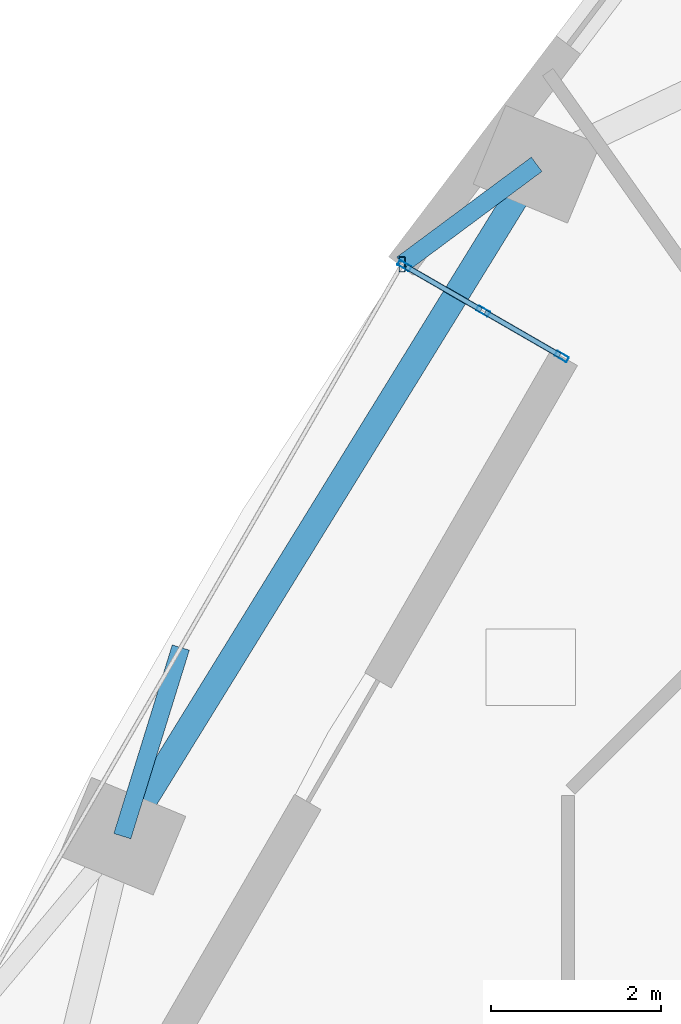
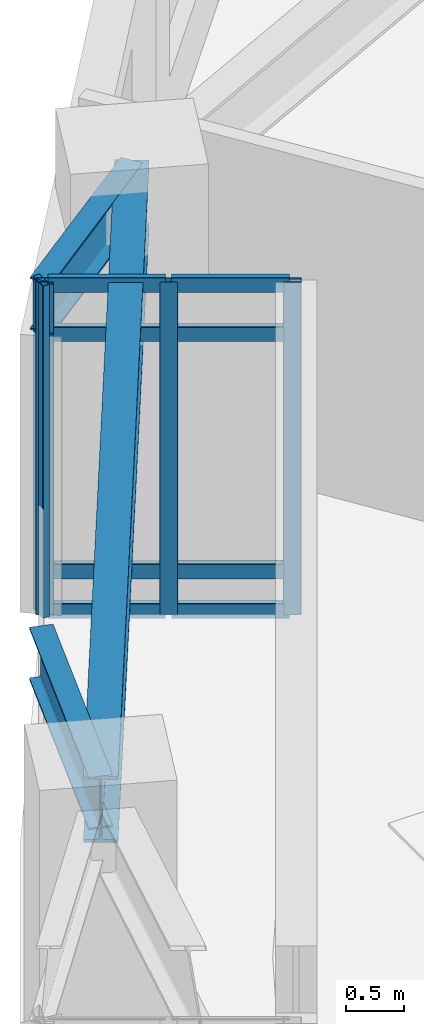
# One storey, part 3 of 13: 12 members, 3 beams, 1 element without a shape of its own.
"""IFC4 building model written with IfcOpenShell, lengths in metres."""

from ifc_helpers import new_model, si_unit, direction, frame, origin, origin_2d, place, context, subcontext, project, spatial, hollow_rectangle, i_section, extrude, material, layer, layer_set, material_profile, profile_set, type_object, element, aggregate, save


model = new_model("IFC4")

# Units and contexts
model_context = context("Model", 3, precision=1e-05, world=origin(), true_north=direction((0.0, 1.0)))
body_context = subcontext(model_context, "Body", "Model", "MODEL_VIEW")
ifc_project = project(units=[si_unit("LENGTHUNIT", "METRE"), si_unit("AREAUNIT", "SQUARE_METRE"), si_unit("VOLUMEUNIT", "CUBIC_METRE"), si_unit("PLANEANGLEUNIT", "RADIAN"), si_unit("MASSUNIT", "GRAM", prefix="KILO")], contexts=[model_context])

# Site, building, storey
site_placement = place(None, origin())
site = spatial("IfcSite", under=ifc_project, at=site_placement, CompositionType="ELEMENT")
building_placement = place(site_placement, origin())
building = spatial("IfcBuilding", under=site, at=building_placement, Name="Ndelora Gate Hotel", CompositionType="ELEMENT")
storey_placement = place(building_placement, frame((0.0, 0.0, 34.25)))
storey = spatial("IfcBuildingStorey", under=building, at=storey_placement, Name="L07", CompositionType="ELEMENT", Elevation=34.25)

# Beams
ifc_material_1 = material(Name="Steel S355", Category="steel")
ifc_material_profile_1 = material_profile(ifc_material_1, i_section(OverallWidth=0.2099609375, OverallDepth=0.550048828125, WebThickness=0.010986328125, FlangeThickness=0.01708984375, FilletRadius=0.02392578125, at=origin_2d()), Name="IPE 550")
ifc_profile_set_1 = profile_set([ifc_material_profile_1], Name="Steel S355")
beam_type_1 = type_object("IfcBeamType", Name="BM-RAD-550", PredefinedType="BEAM", material=ifc_profile_set_1)
beam_1_placement = place(storey_placement, frame((-11.1484375, 14.529052734375, 3.22509765625), z_axis=(-0.802801463818, -0.596246433693, 0.0), x_axis=(0.596246433693, -0.802801463818, 0.0)))
element("IfcBeam", 1, at=beam_1_placement, inside=storey, type_object=beam_type_1, Name="L07 Sky-Garden Loggia Column Bracket 1", PredefinedType="BEAM", context=body_context, shape_type="SweptSolid", body=[
    extrude(i_section(OverallWidth=0.2099609375, OverallDepth=0.550048828125, WebThickness=0.010986328125, FlangeThickness=0.01708984375, FilletRadius=0.02392578125, at=origin_2d()), origin(), (0.0, 0.0, 1.0), 1.97021484375),
])
beam_2_placement = place(storey_placement, frame((-16.016845703125, 6.634521484375, 3.22509765625), z_axis=(0.295985494435, 0.955192434583, 0.0), x_axis=(-0.955192434583, 0.295985494435, 0.0)))
element("IfcBeam", 2, at=beam_2_placement, inside=storey, type_object=beam_type_1, Name="L07 Sky-Garden Loggia Column Bracket 2", PredefinedType="BEAM", context=body_context, shape_type="SweptSolid", body=[
    extrude(i_section(OverallWidth=0.2099609375, OverallDepth=0.550048828125, WebThickness=0.010986328125, FlangeThickness=0.01708984375, FilletRadius=0.02392578125, at=origin_2d()), origin(), (0.0, 0.0, 1.0), 2.3203125),
])
ifc_material_profile_2 = material_profile(ifc_material_1, i_section(OverallWidth=0.300048828125, OverallDepth=0.699951171875, WebThickness=0.01708984375, FlangeThickness=0.031982421875, FilletRadius=0.027099609375, at=origin_2d()), Name="HEB 700")
ifc_profile_set_2 = profile_set([ifc_material_profile_2], Name="Steel S355")
beam_type_2 = type_object("IfcBeamType", Name="BM-RING-700", PredefinedType="SPANDREL", material=ifc_profile_set_2)
beam_3_placement = place(storey_placement, frame((-11.1484375, 14.529052734375, 3.14990234375), z_axis=(-0.524897602516, -0.851165381623, 0.0), x_axis=(0.851165381623, -0.524897602516, 0.0)))
element("IfcBeam", 3, at=beam_3_placement, inside=storey, type_object=beam_type_2, Name="L07 Perimeter Spandrel Girder 2", PredefinedType="SPANDREL", context=body_context, shape_type="SweptSolid", body=[
    extrude(i_section(OverallWidth=0.300048828125, OverallDepth=0.699951171875, WebThickness=0.01708984375, FlangeThickness=0.031982421875, FilletRadius=0.027099609375, at=origin_2d()), origin(), (0.0, 0.0, 1.0), 9.27490234375),
])

# Curtain wall, members
ifc_material_2 = material(Name="Bronze Anodised Unitised Aluminium and Low-E Glass", Category="aluminium")
ifc_layer = layer(ifc_material_2, 0.199951171875)
ifc_layer_set = layer_set([ifc_layer], Name="Bronze Anodised Unitised Aluminium and Low-E Glass")
curtain_wall_type = type_object("IfcCurtainWallType", Name="CW-SYS-3", PredefinedType="NOTDEFINED", material=ifc_layer_set)
curtain_wall_placement = place(storey_placement, origin())
curtain_wall = element("IfcCurtainWall", 4, at=curtain_wall_placement, inside=storey, type_object=curtain_wall_type, Name="L07 Sky-Garden Loggia Side Curtain Wall CW3-1", PredefinedType="NOTDEFINED")
ifc_material_3 = material(Name="Bronze Anodised Aluminium 6063-T6", Category="aluminium")
ifc_material_profile_3 = material_profile(ifc_material_3, hollow_rectangle(XDim=0.06494140625, YDim=0.159912109375, WallThickness=0.00390625, InnerFilletRadius=0.00390625, OuterFilletRadius=0.008056640625, at=origin_2d()), Name="ALU 160x65x4")
ifc_profile_set_3 = profile_set([ifc_material_profile_3], Name="Bronze Anodised Aluminium 6063-T6")
member_type_1 = type_object("IfcMemberType", Name="MB-CW-MUL150", PredefinedType="MULLION", material=ifc_profile_set_3)
member_1_placement = place(storey_placement, frame((-10.85302734375, 12.2705078125, -0.00390625), z_axis=(0.0, 0.0, 1.0), x_axis=(-0.499991317892, -0.866030416344, 0.0)))
member_1 = element("IfcMember", 5, at=member_1_placement, type_object=member_type_1, Name="CW3 mullion 1", PredefinedType="MULLION", context=body_context, shape_type="SweptSolid", body=[
    extrude(hollow_rectangle(XDim=0.06494140625, YDim=0.159912109375, WallThickness=0.00390625, InnerFilletRadius=0.00390625, OuterFilletRadius=0.008056640625, at=origin_2d()), origin(), (0.0, 0.0, 1.0), 3.5078125),
])
member_2_placement = place(storey_placement, frame((-11.777587890625, 12.80419921875, -0.00390625), z_axis=(0.0, 0.0, 1.0), x_axis=(-0.499991317892, -0.866030416344, 0.0)))
member_2 = element("IfcMember", 6, at=member_2_placement, type_object=member_type_1, Name="CW3 mullion 2", PredefinedType="MULLION", context=body_context, shape_type="SweptSolid", body=[
    extrude(hollow_rectangle(XDim=0.06494140625, YDim=0.159912109375, WallThickness=0.00390625, InnerFilletRadius=0.00390625, OuterFilletRadius=0.008056640625, at=origin_2d()), origin(), (0.0, 0.0, 1.0), 3.5078125),
])
member_3_placement = place(storey_placement, frame((-12.7021484375, 13.337890625, -0.00390625), z_axis=(0.0, 0.0, 1.0), x_axis=(-0.499991317892, -0.866030416344, 0.0)))
member_3 = element("IfcMember", 7, at=member_3_placement, type_object=member_type_1, Name="CW3 mullion 3", PredefinedType="MULLION", context=body_context, shape_type="SweptSolid", body=[
    extrude(hollow_rectangle(XDim=0.06494140625, YDim=0.159912109375, WallThickness=0.00390625, InnerFilletRadius=0.00390625, OuterFilletRadius=0.008056640625, at=origin_2d()), origin(), (0.0, 0.0, 1.0), 3.5078125),
])
ifc_material_profile_4 = material_profile(ifc_material_3, hollow_rectangle(XDim=0.070068359375, YDim=0.179931640625, WallThickness=0.0048828125, InnerFilletRadius=0.0048828125, OuterFilletRadius=0.010009765625, at=origin_2d()), Name="ALU 180x70x5")
ifc_profile_set_4 = profile_set([ifc_material_profile_4], Name="Bronze Anodised Aluminium 6063-T6")
member_type_2 = type_object("IfcMemberType", Name="MB-CW-MUL180", PredefinedType="MULLION", material=ifc_profile_set_4)
member_4_placement = place(storey_placement, frame((-12.730224609375, 13.354248046875, 0.0), z_axis=(0.0, 0.0, 1.0), x_axis=(1.0, 0.0, 0.0)))
member_4 = element("IfcMember", 8, at=member_4_placement, type_object=member_type_2, Name="L07 Sky-Garden Loggia Corner Mullion Post 1", PredefinedType="MULLION", context=body_context, shape_type="SweptSolid", body=[
    extrude(hollow_rectangle(XDim=0.070068359375, YDim=0.179931640625, WallThickness=0.0048828125, InnerFilletRadius=0.0048828125, OuterFilletRadius=0.010009765625, at=origin_2d()), origin(), (0.0, 0.0, 1.0), 3.5),
])
ifc_material_profile_5 = material_profile(ifc_material_3, hollow_rectangle(XDim=0.06494140625, YDim=0.159912109375, WallThickness=0.00390625, InnerFilletRadius=0.00390625, OuterFilletRadius=0.008056640625, at=origin_2d()), Name="ALU 160x65x4")
ifc_profile_set_5 = profile_set([ifc_material_profile_5], Name="Bronze Anodised Aluminium 6063-T6")
member_type_3 = type_object("IfcMemberType", Name="MB-CW-TRN150", PredefinedType="USERDEFINED", material=ifc_profile_set_5)
member_5_placement = place(storey_placement, frame((-10.8759765625, 12.28369140625, 0.032470703125), z_axis=(-0.866013277291, 0.500021003115, 0.0), x_axis=(-0.500021003115, -0.866013277291, 0.0)))
member_5 = element("IfcMember", 9, at=member_5_placement, type_object=member_type_3, Name="CW3 transom 1.1", ObjectType="TRANSOM", PredefinedType="USERDEFINED", context=body_context, shape_type="SweptSolid", body=[
    extrude(hollow_rectangle(XDim=0.06494140625, YDim=0.159912109375, WallThickness=0.00390625, InnerFilletRadius=0.00390625, OuterFilletRadius=0.008056640625, at=origin_2d()), origin(), (0.0, 0.0, 1.0), 1.0146484375),
])
member_6_placement = place(storey_placement, frame((-10.8759765625, 12.28369140625, 0.449951171875), z_axis=(-0.866013277291, 0.500021003115, 0.0), x_axis=(-0.500021003115, -0.866013277291, 0.0)))
member_6 = element("IfcMember", 10, at=member_6_placement, type_object=member_type_3, Name="CW3 transom 1.2", ObjectType="TRANSOM", PredefinedType="USERDEFINED", context=body_context, shape_type="SweptSolid", body=[
    extrude(hollow_rectangle(XDim=0.06494140625, YDim=0.159912109375, WallThickness=0.00390625, InnerFilletRadius=0.00390625, OuterFilletRadius=0.008056640625, at=origin_2d()), origin(), (0.0, 0.0, 1.0), 1.0146484375),
])
member_7_placement = place(storey_placement, frame((-10.8759765625, 12.28369140625, 2.949951171875), z_axis=(-0.866013277291, 0.500021003115, 0.0), x_axis=(-0.500021003115, -0.866013277291, 0.0)))
member_7 = element("IfcMember", 11, at=member_7_placement, type_object=member_type_3, Name="CW3 transom 1.3", ObjectType="TRANSOM", PredefinedType="USERDEFINED", context=body_context, shape_type="SweptSolid", body=[
    extrude(hollow_rectangle(XDim=0.06494140625, YDim=0.159912109375, WallThickness=0.00390625, InnerFilletRadius=0.00390625, OuterFilletRadius=0.008056640625, at=origin_2d()), origin(), (0.0, 0.0, 1.0), 1.0146484375),
])
member_8_placement = place(storey_placement, frame((-10.8759765625, 12.28369140625, 3.467529296875), z_axis=(-0.866013277291, 0.500021003115, 0.0), x_axis=(-0.500021003115, -0.866013277291, 0.0)))
member_8 = element("IfcMember", 12, at=member_8_placement, type_object=member_type_3, Name="CW3 transom 1.4", ObjectType="TRANSOM", PredefinedType="USERDEFINED", context=body_context, shape_type="SweptSolid", body=[
    extrude(hollow_rectangle(XDim=0.06494140625, YDim=0.159912109375, WallThickness=0.00390625, InnerFilletRadius=0.00390625, OuterFilletRadius=0.008056640625, at=origin_2d()), origin(), (0.0, 0.0, 1.0), 1.0146484375),
])
member_9_placement = place(storey_placement, frame((-11.800537109375, 12.8173828125, 0.032470703125), z_axis=(-0.866013277291, 0.500021003115, 0.0), x_axis=(-0.500021003115, -0.866013277291, 0.0)))
member_9 = element("IfcMember", 13, at=member_9_placement, type_object=member_type_3, Name="CW3 transom 2.1", ObjectType="TRANSOM", PredefinedType="USERDEFINED", context=body_context, shape_type="SweptSolid", body=[
    extrude(hollow_rectangle(XDim=0.06494140625, YDim=0.159912109375, WallThickness=0.00390625, InnerFilletRadius=0.00390625, OuterFilletRadius=0.008056640625, at=origin_2d()), origin(), (0.0, 0.0, 1.0), 1.0146484375),
])
member_10_placement = place(storey_placement, frame((-11.800537109375, 12.8173828125, 0.449951171875), z_axis=(-0.866013277291, 0.500021003115, 0.0), x_axis=(-0.500021003115, -0.866013277291, 0.0)))
member_10 = element("IfcMember", 14, at=member_10_placement, type_object=member_type_3, Name="CW3 transom 2.2", ObjectType="TRANSOM", PredefinedType="USERDEFINED", context=body_context, shape_type="SweptSolid", body=[
    extrude(hollow_rectangle(XDim=0.06494140625, YDim=0.159912109375, WallThickness=0.00390625, InnerFilletRadius=0.00390625, OuterFilletRadius=0.008056640625, at=origin_2d()), origin(), (0.0, 0.0, 1.0), 1.0146484375),
])
member_11_placement = place(storey_placement, frame((-11.800537109375, 12.8173828125, 2.949951171875), z_axis=(-0.866013277291, 0.500021003115, 0.0), x_axis=(-0.500021003115, -0.866013277291, 0.0)))
member_11 = element("IfcMember", 15, at=member_11_placement, type_object=member_type_3, Name="CW3 transom 2.3", ObjectType="TRANSOM", PredefinedType="USERDEFINED", context=body_context, shape_type="SweptSolid", body=[
    extrude(hollow_rectangle(XDim=0.06494140625, YDim=0.159912109375, WallThickness=0.00390625, InnerFilletRadius=0.00390625, OuterFilletRadius=0.008056640625, at=origin_2d()), origin(), (0.0, 0.0, 1.0), 1.0146484375),
])
member_12_placement = place(storey_placement, frame((-11.800537109375, 12.8173828125, 3.467529296875), z_axis=(-0.866013277291, 0.500021003115, 0.0), x_axis=(-0.500021003115, -0.866013277291, 0.0)))
member_12 = element("IfcMember", 16, at=member_12_placement, type_object=member_type_3, Name="CW3 transom 2.4", ObjectType="TRANSOM", PredefinedType="USERDEFINED", context=body_context, shape_type="SweptSolid", body=[
    extrude(hollow_rectangle(XDim=0.06494140625, YDim=0.159912109375, WallThickness=0.00390625, InnerFilletRadius=0.00390625, OuterFilletRadius=0.008056640625, at=origin_2d()), origin(), (0.0, 0.0, 1.0), 1.0146484375),
])
aggregate(curtain_wall, [member_1, member_2, member_3, member_5, member_6, member_7, member_8, member_9, member_10, member_11, member_12, member_4])

save(model, "model.ifc")
